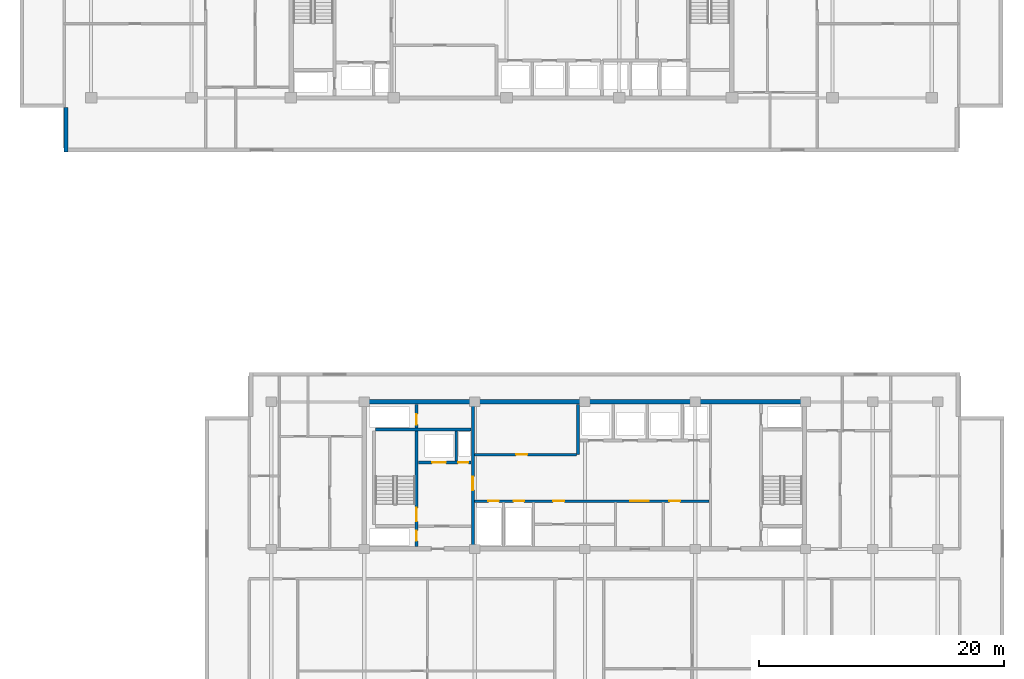
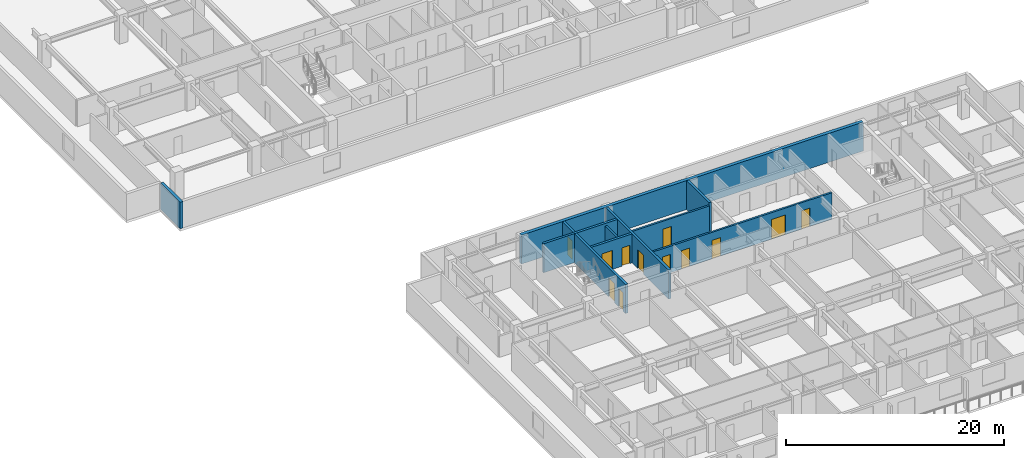
# One storey, part 7 of 22: 12 doors, 10 walls, 12 openings.
"""IFC4 building model written with IfcOpenShell, lengths in metres."""

from ifc_helpers import new_model, si_unit, direction, frame, frame_2d, origin, place, context, subcontext, project, spatial, rectangle, extrude, material, layer, layer_set, type_object, element, fill, save


model = new_model("IFC4")

# Units and contexts
model_context = context("Model", 3, precision=1e-05, world=origin(), true_north=direction((0.0, 1.0)))
body_context = subcontext(model_context, "Body", "Model", "MODEL_VIEW")
ifc_project = project(units=[si_unit("LENGTHUNIT", "METRE"), si_unit("AREAUNIT", "SQUARE_METRE"), si_unit("VOLUMEUNIT", "CUBIC_METRE"), si_unit("PLANEANGLEUNIT", "RADIAN"), si_unit("MASSUNIT", "GRAM", prefix="KILO")], contexts=[model_context])

# Site, building, storey
site_placement = place(None, origin())
site = spatial("IfcSite", under=ifc_project, at=site_placement, CompositionType="ELEMENT")
building_placement = place(site_placement, origin())
building = spatial("IfcBuilding", under=site, at=building_placement, Name="Korimba Cascade Residences", CompositionType="ELEMENT")
storey_placement = place(building_placement, frame((0.0, 0.0, 129.550048828125)))
storey = spatial("IfcBuildingStorey", under=building, at=storey_placement, Name="L37", CompositionType="ELEMENT", Elevation=129.550048828125)

# Walls
ifc_material_1 = material(Name="Precast concrete C40/50", Category="concrete")
ifc_layer_1 = layer(ifc_material_1, 0.300048828125)
ifc_layer_set_1 = layer_set([ifc_layer_1], Name="Precast concrete C40/50")
wall_type_1 = type_object("IfcWallType", Name="EW-STONE-300", PredefinedType="STANDARD", material=ifc_layer_set_1)
wall_1_placement = place(storey_placement, frame((57.75, 54.39990234375, 0.0), z_axis=(0.0, 0.0, 1.0), x_axis=(0.0, -1.0, 0.0)))
element("IfcWall", 1, at=wall_1_placement, inside=storey, type_object=wall_type_1, Name="L37 T1 Perimeter Stone Wall E11", PredefinedType="STANDARD", context=body_context, shape_type="SweptSolid", body=[
    extrude(rectangle(XDim=3.599853515625, YDim=0.300048828125, at=frame_2d((1.7998046875, 0.0))), origin(), (0.0, 0.0, 1.0), 2.969970703125),
])
ifc_material_2 = material(Name="Concrete C65/80", Category="concrete")
ifc_layer_2 = layer(ifc_material_2, 0.35009765625)
ifc_layer_set_2 = layer_set([ifc_layer_2], Name="Concrete C65/80")
wall_type_2 = type_object("IfcWallType", Name="WAL-CORE-350", PredefinedType="SHEAR", material=ifc_layer_set_2)
wall_2_placement = place(storey_placement, frame((81.925048828125, 30.39990234375, 0.0), z_axis=(0.0, 0.0, 1.0), x_axis=(1.0, 0.0, 0.0)))
element("IfcWall", 2, at=wall_2_placement, inside=storey, type_object=wall_type_2, Name="L37 Core Shear Wall CW-L37-T2-N", PredefinedType="SHEAR", context=body_context, shape_type="SweptSolid", body=[
    extrude(rectangle(XDim=36.264892578125, YDim=0.35009765625, at=frame_2d((18.13232421875, 0.0))), origin(), (0.0, 0.0, 1.0), 3.25),
])
ifc_material_3 = material(Name="Concrete C40/50", Category="concrete")
ifc_layer_3 = layer(ifc_material_3, 0.199951171875)
ifc_layer_set_3 = layer_set([ifc_layer_3], Name="Concrete C40/50")
wall_type_3 = type_object("IfcWallType", Name="WAL-PART-200", PredefinedType="PARTITIONING", material=ifc_layer_set_3)
wall_3_placement = place(storey_placement, frame((89.60009765625, 25.580078125, 0.0), z_axis=(0.0, 0.0, 1.0), x_axis=(0.0, 1.0, 0.0)))
element("IfcWall", 3, at=wall_3_placement, inside=storey, type_object=wall_type_3, Name="L37 Partition Wall CW-L37-T2-FFLDIV", PredefinedType="PARTITIONING", context=body_context, shape_type="SweptSolid", body=[
    extrude(rectangle(XDim=2.419921875, YDim=0.199951171875, at=frame_2d((1.2099609375, 0.0))), origin(), (0.0, 0.0, 1.0), 2.969970703125),
])

# Wall, opening, door
wall_4_placement = place(storey_placement, frame((91.080078125, 26.10009765625, 0.0), z_axis=(0.0, 0.0, 1.0), x_axis=(1.0, 0.0, 0.0)))
wall_4 = element("IfcWall", 4, at=wall_4_placement, inside=storey, type_object=wall_type_3, Name="L37 Partition Wall CW-L37-T2-B1RS", PredefinedType="PARTITIONING", context=body_context, shape_type="SweptSolid", body=[
    extrude(rectangle(XDim=8.33984375, YDim=0.199951171875, at=frame_2d((4.169921875, 0.0))), origin(), (0.0, 0.0, 1.0), 2.969970703125),
])
opening_1_placement = place(wall_4_placement, frame((3.39990234375, 0.0, 0.0)))
opening_1 = element("IfcOpeningElement", 5, at=opening_1_placement, cuts=wall_4, Name="Opening D-ST1", PredefinedType="OPENING", context=body_context, shape_type="SweptSolid", body=[
    extrude(rectangle(XDim=0.919921875, YDim=2.080078125, at=frame_2d((0.4599609375, 1.0400390625))), frame((0.0, 0.10986328125, 0.0), z_axis=(0.0, -1.0, 0.0), x_axis=(1.0, 0.0, 0.0)), (0.0, 0.0, 1.0), 0.219970703125),
])
ifc_material_4 = material(Name="Fire-Rated Core Store Door", Category="wood")
door_type_1 = type_object("IfcDoorType", Name="DR-FD60-920", OperationType="NOTDEFINED", PredefinedType="DOOR", material=ifc_material_4)
door_1_placement = place(opening_1_placement, origin())
door_1 = element("IfcDoor", 6, at=door_1_placement, inside=storey, type_object=door_type_1, Name="L37 T2 Resident Storage Door", OperationType="SINGLE_SWING_RIGHT", OverallHeight=2.080078125, OverallWidth=0.919921875, PredefinedType="DOOR", context=body_context, shape_type="SweptSolid", body=[
    extrude(rectangle(XDim=0.919921875, YDim=2.080078125, at=frame_2d((0.4599609375, 1.0400390625))), frame((0.0, 0.02490234375, 0.0), z_axis=(0.0, -1.0, 0.0), x_axis=(1.0, 0.0, 0.0)), (0.0, 0.0, 1.0), 0.050048828125),
])
fill(opening_1, door_1)

# Wall, openings, doors
wall_5_placement = place(storey_placement, frame((91.080078125, 22.300048828125, 0.0), z_axis=(0.0, 0.0, 1.0), x_axis=(1.0, 0.0, 0.0)))
wall_5 = element("IfcWall", 7, at=wall_5_placement, inside=storey, type_object=wall_type_3, Name="L37 Partition Wall CW-L37-T2-SRVROW", PredefinedType="PARTITIONING", context=body_context, shape_type="SweptSolid", body=[
    extrude(rectangle(XDim=19.139892578125, YDim=0.199951171875, at=frame_2d((9.56982421875, 0.0))), origin(), (0.0, 0.0, 1.0), 2.969970703125),
])
opening_2_placement = place(wall_5_placement, frame((1.14990234375, 0.0, 0.0)))
opening_2 = element("IfcOpeningElement", 8, at=opening_2_placement, cuts=wall_5, Name="Opening D-RS1", PredefinedType="OPENING", context=body_context, shape_type="SweptSolid", body=[
    extrude(rectangle(XDim=0.85009765625, YDim=2.050048828125, at=frame_2d((0.425048828125, 1.02490234375))), frame((0.0, 0.10986328125, 0.0), z_axis=(0.0, -1.0, 0.0), x_axis=(1.0, 0.0, 0.0)), (0.0, 0.0, 1.0), 0.219970703125),
])
opening_3_placement = place(wall_5_placement, frame((3.199951171875, 0.0, 0.0)))
opening_3 = element("IfcOpeningElement", 9, at=opening_3_placement, cuts=wall_5, Name="Opening D-RS1", PredefinedType="OPENING", context=body_context, shape_type="SweptSolid", body=[
    extrude(rectangle(XDim=0.85009765625, YDim=2.050048828125, at=frame_2d((0.425048828125, 1.02490234375))), frame((0.0, 0.10986328125, 0.0), z_axis=(0.0, -1.0, 0.0), x_axis=(1.0, 0.0, 0.0)), (0.0, 0.0, 1.0), 0.219970703125),
])
opening_4_placement = place(wall_5_placement, frame((12.719970703125, 0.0, 0.0)))
opening_4 = element("IfcOpeningElement", 10, at=opening_4_placement, cuts=wall_5, Name="Opening D-FD8", PredefinedType="OPENING", context=body_context, shape_type="SweptSolid", body=[
    extrude(rectangle(XDim=1.5, YDim=2.199951171875, at=frame_2d((0.75, 1.10009765625))), frame((0.0, 0.10986328125, 0.0), z_axis=(0.0, -1.0, 0.0), x_axis=(1.0, 0.0, 0.0)), (0.0, 0.0, 1.0), 0.219970703125),
])
opening_5_placement = place(wall_5_placement, frame((6.419921875, 0.0, 0.0)))
opening_5 = element("IfcOpeningElement", 11, at=opening_5_placement, cuts=wall_5, Name="Opening D-IN1", PredefinedType="OPENING", context=body_context, shape_type="SweptSolid", body=[
    extrude(rectangle(XDim=0.919921875, YDim=2.080078125, at=frame_2d((0.4599609375, 1.0400390625))), frame((0.0, 0.10986328125, 0.0), z_axis=(0.0, -1.0, 0.0), x_axis=(1.0, 0.0, 0.0)), (0.0, 0.0, 1.0), 0.219970703125),
])
opening_6_placement = place(wall_5_placement, frame((15.919921875, 0.0, 0.0)))
opening_6 = element("IfcOpeningElement", 12, at=opening_6_placement, cuts=wall_5, Name="Opening D-IN2", PredefinedType="OPENING", context=body_context, shape_type="SweptSolid", body=[
    extrude(rectangle(XDim=0.8798828125, YDim=2.06005859375, at=frame_2d((0.43994140625, 1.030029296875))), frame((0.0, 0.10986328125, 0.0), z_axis=(0.0, -1.0, 0.0), x_axis=(1.0, 0.0, 0.0)), (0.0, 0.0, 1.0), 0.219970703125),
])
ifc_material_5 = material(Name="Fire-Rated Steel Riser Access Door", Category="steel")
door_type_2 = type_object("IfcDoorType", Name="DR-FD60-850", OperationType="NOTDEFINED", PredefinedType="DOOR", material=ifc_material_5)
door_2_placement = place(opening_2_placement, origin())
door_2 = element("IfcDoor", 13, at=door_2_placement, inside=storey, type_object=door_type_2, Name="L37 T2 Electrical Riser Door", OperationType="SINGLE_SWING_LEFT", OverallHeight=2.050048828125, OverallWidth=0.85009765625, PredefinedType="DOOR", context=body_context, shape_type="SweptSolid", body=[
    extrude(rectangle(XDim=0.85009765625, YDim=2.050048828125, at=frame_2d((0.425048828125, 1.02490234375))), frame((0.0, 0.02490234375, 0.0), z_axis=(0.0, -1.0, 0.0), x_axis=(1.0, 0.0, 0.0)), (0.0, 0.0, 1.0), 0.050048828125),
])
fill(opening_2, door_2)
door_3_placement = place(opening_3_placement, origin())
door_3 = element("IfcDoor", 14, at=door_3_placement, inside=storey, type_object=door_type_2, Name="L37 T2 Plumbing Riser Door", OperationType="SINGLE_SWING_RIGHT", OverallHeight=2.050048828125, OverallWidth=0.85009765625, PredefinedType="DOOR", context=body_context, shape_type="SweptSolid", body=[
    extrude(rectangle(XDim=0.85009765625, YDim=2.050048828125, at=frame_2d((0.425048828125, 1.02490234375))), frame((0.0, 0.02490234375, 0.0), z_axis=(0.0, -1.0, 0.0), x_axis=(1.0, 0.0, 0.0)), (0.0, 0.0, 1.0), 0.050048828125),
])
fill(opening_3, door_3)
ifc_material_6 = material(Name="Fire-Rated Glazed Lift Lobby Double Door", Category="glass")
door_type_3 = type_object("IfcDoorType", Name="DR-FD90-1500", OperationType="NOTDEFINED", PredefinedType="DOOR", material=ifc_material_6)
door_4_placement = place(opening_4_placement, origin())
door_4 = element("IfcDoor", 15, at=door_4_placement, inside=storey, type_object=door_type_3, Name="L37 T2 Lift Lobby Foyer Door", OperationType="DOUBLE_DOOR_SINGLE_SWING", OverallHeight=2.199951171875, OverallWidth=1.5, PredefinedType="DOOR", context=body_context, shape_type="SweptSolid", body=[
    extrude(rectangle(XDim=1.5, YDim=2.199951171875, at=frame_2d((0.75, 1.10009765625))), frame((0.0, 0.02490234375, 0.0), z_axis=(0.0, -1.0, 0.0), x_axis=(1.0, 0.0, 0.0)), (0.0, 0.0, 1.0), 0.050048828125),
])
fill(opening_4, door_4)
ifc_material_7 = material(Name="Acoustic Timber Bedroom Door", Category="wood")
door_type_4 = type_object("IfcDoorType", Name="DR-INT-880", OperationType="NOTDEFINED", PredefinedType="DOOR", material=ifc_material_7)
door_5_placement = place(opening_6_placement, origin())
door_5 = element("IfcDoor", 16, at=door_5_placement, inside=storey, type_object=door_type_4, Name="L37 T2 Staff WC Door", OperationType="SINGLE_SWING_RIGHT", OverallHeight=2.06005859375, OverallWidth=0.8798828125, PredefinedType="DOOR", context=body_context, shape_type="SweptSolid", body=[
    extrude(rectangle(XDim=0.8798828125, YDim=2.06005859375, at=frame_2d((0.43994140625, 1.030029296875))), frame((0.0, 0.02490234375, 0.0), z_axis=(0.0, -1.0, 0.0), x_axis=(1.0, 0.0, 0.0)), (0.0, 0.0, 1.0), 0.050048828125),
])
fill(opening_6, door_5)
ifc_material_8 = material(Name="Acoustic Timber Living Door", Category="wood")
door_type_5 = type_object("IfcDoorType", Name="DR-INT-920", OperationType="NOTDEFINED", PredefinedType="DOOR", material=ifc_material_8)
door_6_placement = place(opening_5_placement, origin())
door_6 = element("IfcDoor", 17, at=door_6_placement, inside=storey, type_object=door_type_5, Name="L37 T2 Locker Door", OperationType="SINGLE_SWING_LEFT", OverallHeight=2.080078125, OverallWidth=0.919921875, PredefinedType="DOOR", context=body_context, shape_type="SweptSolid", body=[
    extrude(rectangle(XDim=0.919921875, YDim=2.080078125, at=frame_2d((0.4599609375, 1.0400390625))), frame((0.0, 0.02490234375, 0.0), z_axis=(0.0, -1.0, 0.0), x_axis=(1.0, 0.0, 0.0)), (0.0, 0.0, 1.0), 0.050048828125),
])
fill(opening_5, door_6)

ifc_material_9 = material(Name="Concrete C50/60", Category="concrete")
ifc_layer_4 = layer(ifc_material_9, 0.25)
ifc_layer_set_4 = layer_set([ifc_layer_4], Name="Concrete C50/60")
wall_type_4 = type_object("IfcWallType", Name="WAL-SHAFT-250", PredefinedType="SHEAR", material=ifc_layer_set_4)
wall_6_placement = place(storey_placement, frame((86.364990234375, 18.60009765625, 0.0), z_axis=(0.0, 0.0, 1.0), x_axis=(0.0, 1.0, 0.0)))
wall_6 = element("IfcWall", 18, at=wall_6_placement, inside=storey, type_object=wall_type_4, Name="L37 Core Shear Wall CW-L37-T2-STE1E", PredefinedType="SHEAR", context=body_context, shape_type="SweptSolid", body=[
    extrude(rectangle(XDim=11.599853515625, YDim=0.25, at=frame_2d((5.7998046875, 0.0))), origin(), (0.0, 0.0, 1.0), 3.25),
])
opening_7_placement = place(wall_6_placement, frame((0.449951171875, 0.0, 0.0)))
opening_7 = element("IfcOpeningElement", 19, at=opening_7_placement, cuts=wall_6, Name="Opening D-RS1", PredefinedType="OPENING", context=body_context, shape_type="SweptSolid", body=[
    extrude(rectangle(XDim=0.85009765625, YDim=2.050048828125, at=frame_2d((0.425048828125, 1.02490234375))), frame((0.0, 0.135009765625, 0.0), z_axis=(0.0, -1.0, 0.0), x_axis=(1.0, 0.0, 0.0)), (0.0, 0.0, 1.0), 0.27001953125),
])
opening_8_placement = place(wall_6_placement, frame((2.050048828125, 0.0, 0.0)))
opening_8 = element("IfcOpeningElement", 20, at=opening_8_placement, cuts=wall_6, Name="Opening D-FD1", PredefinedType="OPENING", context=body_context, shape_type="SweptSolid", body=[
    extrude(rectangle(XDim=1.10009765625, YDim=2.10009765625, at=frame_2d((0.550048828125, 1.050048828125))), frame((0.0, 0.135009765625, 0.0), z_axis=(0.0, -1.0, 0.0), x_axis=(1.0, 0.0, 0.0)), (0.0, 0.0, 1.0), 0.27001953125),
])
opening_9_placement = place(wall_6_placement, frame((9.949951171875, 0.0, 0.0)))
opening_9 = element("IfcOpeningElement", 21, at=opening_9_placement, cuts=wall_6, Name="Opening D-RS1", PredefinedType="OPENING", context=body_context, shape_type="SweptSolid", body=[
    extrude(rectangle(XDim=0.85009765625, YDim=2.050048828125, at=frame_2d((0.425048828125, 1.02490234375))), frame((0.0, 0.135009765625, 0.0), z_axis=(0.0, -1.0, 0.0), x_axis=(1.0, 0.0, 0.0)), (0.0, 0.0, 1.0), 0.27001953125),
])
ifc_material_10 = material(Name="Fire-Rated Steel Core Door", Category="steel")
door_type_6 = type_object("IfcDoorType", Name="DR-FD120-1100", OperationType="NOTDEFINED", PredefinedType="DOOR", material=ifc_material_10)
door_7_placement = place(opening_8_placement, origin())
door_7 = element("IfcDoor", 22, at=door_7_placement, inside=storey, type_object=door_type_6, Name="L37 Fire Stair ST-E1 Door", OperationType="SINGLE_SWING_LEFT", OverallHeight=2.10009765625, OverallWidth=1.10009765625, PredefinedType="DOOR", context=body_context, shape_type="SweptSolid", body=[
    extrude(rectangle(XDim=1.10009765625, YDim=2.10009765625, at=frame_2d((0.550048828125, 1.050048828125))), frame((0.0, 0.02490234375, 0.0), z_axis=(0.0, -1.0, 0.0), x_axis=(1.0, 0.0, 0.0)), (0.0, 0.0, 1.0), 0.050048828125),
])
fill(opening_8, door_7)
door_8_placement = place(opening_7_placement, origin())
door_8 = element("IfcDoor", 23, at=door_8_placement, inside=storey, type_object=door_type_2, Name="L37 T2 Hydrant Riser Door", OperationType="SINGLE_SWING_RIGHT", OverallHeight=2.050048828125, OverallWidth=0.85009765625, PredefinedType="DOOR", context=body_context, shape_type="SweptSolid", body=[
    extrude(rectangle(XDim=0.85009765625, YDim=2.050048828125, at=frame_2d((0.425048828125, 1.02490234375))), frame((0.0, 0.02490234375, 0.0), z_axis=(0.0, -1.0, 0.0), x_axis=(1.0, 0.0, 0.0)), (0.0, 0.0, 1.0), 0.050048828125),
])
fill(opening_7, door_8)
door_9_placement = place(opening_9_placement, origin())
door_9 = element("IfcDoor", 24, at=door_9_placement, inside=storey, type_object=door_type_2, Name="L37 T2 Smoke Shaft Door", OperationType="SINGLE_SWING_RIGHT", OverallHeight=2.050048828125, OverallWidth=0.85009765625, PredefinedType="DOOR", context=body_context, shape_type="SweptSolid", body=[
    extrude(rectangle(XDim=0.85009765625, YDim=2.050048828125, at=frame_2d((0.425048828125, 1.02490234375))), frame((0.0, 0.02490234375, 0.0), z_axis=(0.0, -1.0, 0.0), x_axis=(1.0, 0.0, 0.0)), (0.0, 0.0, 1.0), 0.050048828125),
])
fill(opening_9, door_9)

# Wall
wall_7_placement = place(storey_placement, frame((83.0, 28.125, 0.0), z_axis=(0.0, 0.0, 1.0), x_axis=(1.0, 0.0, 0.0)))
element("IfcWall", 25, at=wall_7_placement, inside=storey, type_object=wall_type_4, Name="L37 Core Shear Wall CW-L37-T2-STE1N", PredefinedType="SHEAR", context=body_context, shape_type="SweptSolid", body=[
    extrude(rectangle(XDim=7.820068359375, YDim=0.25, at=frame_2d((3.91015625, 0.0))), origin(), (0.0, 0.0, 1.0), 3.25),
])

# Wall, openings, doors
wall_8_placement = place(storey_placement, frame((86.5, 25.449951171875, 0.0), z_axis=(0.0, 0.0, 1.0), x_axis=(1.0, 0.0, 0.0)))
wall_8 = element("IfcWall", 26, at=wall_8_placement, inside=storey, type_object=wall_type_4, Name="L37 Core Shear Wall CW-L37-T2-FFLN", PredefinedType="SHEAR", context=body_context, shape_type="SweptSolid", body=[
    extrude(rectangle(XDim=4.320068359375, YDim=0.25, at=frame_2d((2.16015625, 0.0))), origin(), (0.0, 0.0, 1.0), 3.25),
])
opening_10_placement = place(wall_8_placement, frame((1.139892578125, 0.0, 0.0)))
opening_10 = element("IfcOpeningElement", 27, at=opening_10_placement, cuts=wall_8, Name="Opening LD-01", PredefinedType="OPENING", context=body_context, shape_type="SweptSolid", body=[
    extrude(rectangle(XDim=1.1201171875, YDim=2.1201171875, at=frame_2d((0.56005859375, 1.06005859375))), frame((0.0, 0.135009765625, 0.0), z_axis=(0.0, -1.0, 0.0), x_axis=(1.0, 0.0, 0.0)), (0.0, 0.0, 1.0), 0.27001953125),
])
opening_11_placement = place(wall_8_placement, frame((3.25, 0.0, 0.0)))
opening_11 = element("IfcOpeningElement", 28, at=opening_11_placement, cuts=wall_8, Name="Opening D-RS1", PredefinedType="OPENING", context=body_context, shape_type="SweptSolid", body=[
    extrude(rectangle(XDim=0.85009765625, YDim=2.050048828125, at=frame_2d((0.425048828125, 1.02490234375))), frame((0.0, 0.135009765625, 0.0), z_axis=(0.0, -1.0, 0.0), x_axis=(1.0, 0.0, 0.0)), (0.0, 0.0, 1.0), 0.27001953125),
])
door_10_placement = place(opening_11_placement, origin())
door_10 = element("IfcDoor", 29, at=door_10_placement, inside=storey, type_object=door_type_2, Name="L37 T2 Pressurisation Riser Door", OperationType="SINGLE_SWING_LEFT", OverallHeight=2.050048828125, OverallWidth=0.85009765625, PredefinedType="DOOR", context=body_context, shape_type="SweptSolid", body=[
    extrude(rectangle(XDim=0.85009765625, YDim=2.050048828125, at=frame_2d((0.425048828125, 1.02490234375))), frame((0.0, 0.02490234375, 0.0), z_axis=(0.0, -1.0, 0.0), x_axis=(1.0, 0.0, 0.0)), (0.0, 0.0, 1.0), 0.050048828125),
])
fill(opening_11, door_10)
ifc_material_11 = material(Name="Stainless Steel Lift Landing Sliding Door", Category="steel")
door_type_7 = type_object("IfcDoorType", Name="DR-LIFT-1100", OperationType="NOTDEFINED", PredefinedType="DOOR", material=ifc_material_11)
door_11_placement = place(opening_10_placement, origin())
door_11 = element("IfcDoor", 30, at=door_11_placement, inside=storey, type_object=door_type_7, Name="L37 Firefighting Lift Landing Door FFL-E1", OperationType="SLIDING_TO_RIGHT", OverallHeight=2.1201171875, OverallWidth=1.1201171875, PredefinedType="DOOR", context=body_context, shape_type="SweptSolid", body=[
    extrude(rectangle(XDim=1.1201171875, YDim=2.1201171875, at=frame_2d((0.56005859375, 1.06005859375))), frame((0.0, 0.02490234375, 0.0), z_axis=(0.0, -1.0, 0.0), x_axis=(1.0, 0.0, 0.0)), (0.0, 0.0, 1.0), 0.050048828125),
])
fill(opening_10, door_11)

# Wall, opening, door
wall_9_placement = place(storey_placement, frame((90.949951171875, 18.60009765625, 0.0), z_axis=(0.0, 0.0, 1.0), x_axis=(0.0, 1.0, 0.0)))
wall_9 = element("IfcWall", 31, at=wall_9_placement, inside=storey, type_object=wall_type_4, Name="L37 Core Shear Wall CW-L37-T2-FFLE", PredefinedType="SHEAR", context=body_context, shape_type="SweptSolid", body=[
    extrude(rectangle(XDim=11.599853515625, YDim=0.25, at=frame_2d((5.7998046875, 0.0))), origin(), (0.0, 0.0, 1.0), 3.25),
])
opening_12_placement = place(wall_9_placement, frame((4.60009765625, 0.0, 0.0)))
opening_12 = element("IfcOpeningElement", 32, at=opening_12_placement, cuts=wall_9, Name="Opening D-FD1", PredefinedType="OPENING", context=body_context, shape_type="SweptSolid", body=[
    extrude(rectangle(XDim=1.10009765625, YDim=2.10009765625, at=frame_2d((0.550048828125, 1.050048828125))), frame((0.0, 0.135009765625, 0.0), z_axis=(0.0, -1.0, 0.0), x_axis=(1.0, 0.0, 0.0)), (0.0, 0.0, 1.0), 0.27001953125),
])
door_12_placement = place(opening_12_placement, origin())
door_12 = element("IfcDoor", 33, at=door_12_placement, inside=storey, type_object=door_type_6, Name="L37 T2 Firefighting Lobby to Lift Lobby Door", OperationType="SINGLE_SWING_LEFT", OverallHeight=2.10009765625, OverallWidth=1.10009765625, PredefinedType="DOOR", context=body_context, shape_type="SweptSolid", body=[
    extrude(rectangle(XDim=1.10009765625, YDim=2.10009765625, at=frame_2d((0.550048828125, 1.050048828125))), frame((0.0, 0.02490234375, 0.0), z_axis=(0.0, -1.0, 0.0), x_axis=(1.0, 0.0, 0.0)), (0.0, 0.0, 1.0), 0.050048828125),
])
fill(opening_12, door_12)

# Wall
wall_10_placement = place(storey_placement, frame((99.550048828125, 26.10009765625, 0.0), z_axis=(0.0, 0.0, 1.0), x_axis=(0.0, 1.0, 0.0)))
element("IfcWall", 34, at=wall_10_placement, inside=storey, type_object=wall_type_4, Name="L37 Core Shear Wall CW-L37-T2-B12DIV", PredefinedType="SHEAR", context=body_context, shape_type="SweptSolid", body=[
    extrude(rectangle(XDim=4.099853515625, YDim=0.25, at=frame_2d((2.0498046875, 0.0))), origin(), (0.0, 0.0, 1.0), 3.25),
])

save(model, "model.ifc")
